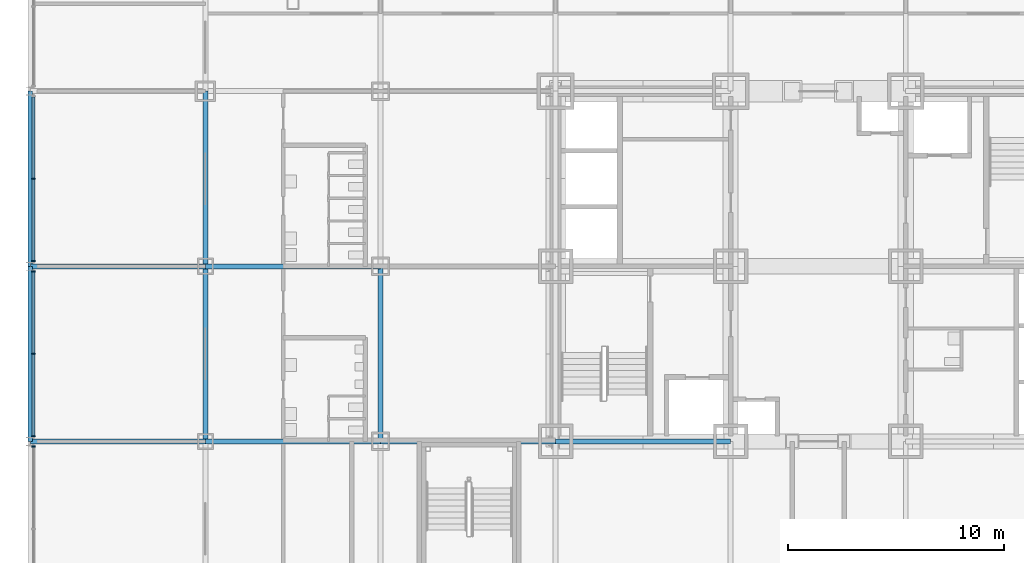
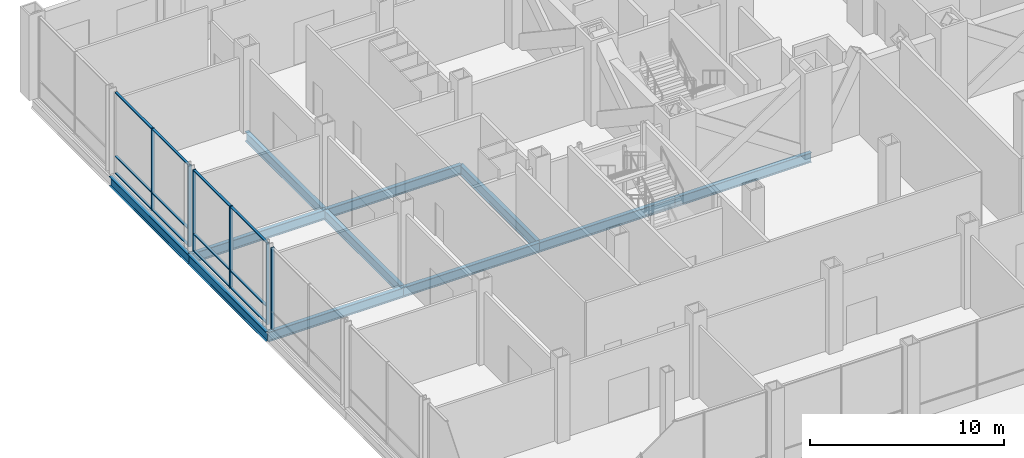
# One storey, part 13 of 29: 18 members, 11 beams, 3 elements without a shape of their own.
"""IFC4 building model written with IfcOpenShell, lengths in metres."""

from ifc_helpers import new_model, si_unit, direction, frame, origin, origin_2d, place, context, subcontext, project, spatial, rectangle, i_section, extrude, material, material_profile, profile_set, type_object, element, aggregate, save


model = new_model("IFC4")

# Units and contexts
model_context = context("Model", 3, precision=1e-05, world=origin(), true_north=direction((0.0, 1.0)))
body_context = subcontext(model_context, "Body", "Model", "MODEL_VIEW")
ifc_project = project(units=[si_unit("LENGTHUNIT", "METRE"), si_unit("AREAUNIT", "SQUARE_METRE"), si_unit("VOLUMEUNIT", "CUBIC_METRE"), si_unit("PLANEANGLEUNIT", "RADIAN"), si_unit("MASSUNIT", "GRAM", prefix="KILO")], contexts=[model_context])

# Site, building, storey
site_placement = place(None, origin())
site = spatial("IfcSite", under=ifc_project, at=site_placement, CompositionType="ELEMENT")
building_placement = place(site_placement, origin())
building = spatial("IfcBuilding", under=site, at=building_placement, Name="Kopane Lantern Tower", CompositionType="ELEMENT")
storey_placement = place(building_placement, frame((0.0, 0.0, 11.39990234375)))
storey = spatial("IfcBuildingStorey", under=building, at=storey_placement, Name="L02", CompositionType="ELEMENT", Elevation=11.39990234375)

# Beams
ifc_material_1 = material(Name="Steel S355JR", Category="steel")
ifc_material_profile_1 = material_profile(ifc_material_1, i_section(OverallWidth=0.22900390625, OverallDepth=0.6123046875, WebThickness=0.011962890625, FlangeThickness=0.01953125, FilletRadius=0.0126953125, at=origin_2d()), Name="UB 610x229x125")
ifc_profile_set_1 = profile_set([ifc_material_profile_1], Name="Steel S355JR")
beam_type = type_object("IfcBeamType", Name="GIRDER UB 610x229x125", PredefinedType="BEAM", material=ifc_profile_set_1)
beam_1_placement = place(storey_placement, frame((-8.10009765625, 24.300048828125, -0.555908203125), z_axis=(0.0, 1.0, 0.0), x_axis=(-1.0, 0.0, 0.0)))
element("IfcBeam", 1, at=beam_1_placement, inside=storey, type_object=beam_type, Name="Girder L02", PredefinedType="BEAM", context=body_context, shape_type="SweptSolid", body=[
    extrude(i_section(OverallWidth=0.22900390625, OverallDepth=0.6123046875, WebThickness=0.011962890625, FlangeThickness=0.01953125, FilletRadius=0.0126953125, at=origin_2d()), origin(), (0.0, 0.0, 1.0), 8.099853515625),
])
for number, where, z_axis, x_axis, name in (
    (2, (-8.10009765625, 24.300048828125, -0.555908203125), (1.0, 0.0, 0.0), (0.0, 1.0, 0.0), "Girder L02"),
    (3, (-8.10009765625, 32.39990234375, -0.555908203125), (0.0, 1.0, 0.0), (-1.0, 0.0, 0.0), "Girder L02"),
    (4, (-8.10009765625, 32.39990234375, -0.555908203125), (1.0, 0.0, 0.0), (0.0, 1.0, 0.0), "Girder L02"),
):
    element("IfcBeam", number, at=place(storey_placement, frame(where, z_axis=z_axis, x_axis=x_axis)), inside=storey, type_object=beam_type, Name=name, PredefinedType="BEAM", context=body_context, shape_type="SweptSolid", body=[
        extrude(i_section(OverallWidth=0.22900390625, OverallDepth=0.6123046875, WebThickness=0.011962890625, FlangeThickness=0.01953125, FilletRadius=0.0126953125, at=origin_2d()), origin(), (0.0, 0.0, 1.0), 8.10009765625),
    ])
beam_2_placement = place(storey_placement, frame((0.0, 24.300048828125, -0.555908203125), z_axis=(0.0, 1.0, 0.0), x_axis=(-1.0, 0.0, 0.0)))
element("IfcBeam", 5, at=beam_2_placement, inside=storey, type_object=beam_type, Name="Girder L02", PredefinedType="BEAM", context=body_context, shape_type="SweptSolid", body=[
    extrude(i_section(OverallWidth=0.22900390625, OverallDepth=0.6123046875, WebThickness=0.011962890625, FlangeThickness=0.01953125, FilletRadius=0.0126953125, at=origin_2d()), origin(), (0.0, 0.0, 1.0), 8.099853515625),
])
for number, where, z_axis, x_axis, name in (
    (6, (0.0, 24.300048828125, -0.555908203125), (1.0, 0.0, 0.0), (0.0, 1.0, 0.0), "Girder L02"),
    (7, (0.0, 32.39990234375, -0.555908203125), (0.0, 1.0, 0.0), (-1.0, 0.0, 0.0), "Girder L02"),
    (8, (0.0, 32.39990234375, -0.555908203125), (1.0, 0.0, 0.0), (0.0, 1.0, 0.0), "Girder L02"),
):
    element("IfcBeam", number, at=place(storey_placement, frame(where, z_axis=z_axis, x_axis=x_axis)), inside=storey, type_object=beam_type, Name=name, PredefinedType="BEAM", context=body_context, shape_type="SweptSolid", body=[
        extrude(i_section(OverallWidth=0.22900390625, OverallDepth=0.6123046875, WebThickness=0.011962890625, FlangeThickness=0.01953125, FilletRadius=0.0126953125, at=origin_2d()), origin(), (0.0, 0.0, 1.0), 8.10009765625),
    ])
for number, where, z_axis, x_axis, name in (
    (9, (8.10009765625, 24.300048828125, -0.555908203125), (0.0, 1.0, 0.0), (-1.0, 0.0, 0.0), "Girder L02"),
    (10, (8.10009765625, 24.300048828125, -0.555908203125), (1.0, 0.0, 0.0), (0.0, 1.0, 0.0), "Girder L02"),
):
    element("IfcBeam", number, at=place(storey_placement, frame(where, z_axis=z_axis, x_axis=x_axis)), inside=storey, type_object=beam_type, Name=name, PredefinedType="BEAM", context=body_context, shape_type="SweptSolid", body=[
        extrude(i_section(OverallWidth=0.22900390625, OverallDepth=0.6123046875, WebThickness=0.011962890625, FlangeThickness=0.01953125, FilletRadius=0.0126953125, at=origin_2d()), origin(), (0.0, 0.0, 1.0), 8.099853515625),
    ])
beam_3_placement = place(storey_placement, frame((16.199951171875, 24.300048828125, -0.555908203125), z_axis=(1.0, 0.0, 0.0), x_axis=(0.0, 1.0, 0.0)))
element("IfcBeam", 11, at=beam_3_placement, inside=storey, type_object=beam_type, Name="Girder L02", PredefinedType="BEAM", context=body_context, shape_type="SweptSolid", body=[
    extrude(i_section(OverallWidth=0.22900390625, OverallDepth=0.6123046875, WebThickness=0.011962890625, FlangeThickness=0.01953125, FilletRadius=0.0126953125, at=origin_2d()), origin(), (0.0, 0.0, 1.0), 8.10009765625),
])

# Curtain wall, members
ifc_material_2 = material(Name="Aluminium and clear glass", Category="aluminium")
curtain_wall_type = type_object("IfcCurtainWallType", Name="CURTAIN WALL CW2 PODIUM UPPER", PredefinedType="USERDEFINED", material=ifc_material_2)
curtain_wall_1_placement = place(storey_placement, origin())
curtain_wall_1 = element("IfcCurtainWall", 12, at=curtain_wall_1_placement, inside=storey, type_object=curtain_wall_type, Name="Curtain wall CW2 W L02", ObjectType="CURTAIN WALL", PredefinedType="USERDEFINED")
ifc_material_3 = material(Name="Aluminium", Category="aluminium")
ifc_material_profile_2 = material_profile(ifc_material_3, rectangle(XDim=0.06005859375, YDim=0.179931640625, at=origin_2d()), Name="AL 60x180")
ifc_profile_set_2 = profile_set([ifc_material_profile_2], Name="Aluminium")
member_type_1 = type_object("IfcMemberType", Name="MULLION CW2-M 60x180", PredefinedType="MULLION", material=ifc_profile_set_2)
member_1_placement = place(storey_placement, frame((-7.949951171875, 36.449951171875, 0.0), z_axis=(0.0, 0.0, 1.0), x_axis=(0.0, -1.0, 0.0)))
member_1 = element("IfcMember", 13, at=member_1_placement, type_object=member_type_1, Name="CW2 mullion 2", PredefinedType="MULLION", context=body_context, shape_type="SweptSolid", body=[
    extrude(rectangle(XDim=0.06005859375, YDim=0.179931640625, at=origin_2d()), origin(), (0.0, 0.0, 1.0), 5.150146484375),
])
member_2_placement = place(storey_placement, frame((-7.949951171875, 32.63818359375, 0.0), z_axis=(0.0, 0.0, 1.0), x_axis=(0.0, -1.0, 0.0)))
member_2 = element("IfcMember", 14, at=member_2_placement, type_object=member_type_1, Name="CW2 mullion 3", PredefinedType="MULLION", context=body_context, shape_type="SweptSolid", body=[
    extrude(rectangle(XDim=0.06005859375, YDim=0.179931640625, at=origin_2d()), origin(), (0.0, 0.0, 1.0), 5.150146484375),
])

curtain_wall_2_placement = place(storey_placement, origin())
curtain_wall_2 = element("IfcCurtainWall", 15, at=curtain_wall_2_placement, inside=storey, type_object=curtain_wall_type, Name="Curtain wall CW2 W L02", ObjectType="CURTAIN WALL", PredefinedType="USERDEFINED")
member_3_placement = place(storey_placement, frame((-7.949951171875, 32.161865234375, 0.0), z_axis=(0.0, 0.0, 1.0), x_axis=(0.0, -1.0, 0.0)))
member_3 = element("IfcMember", 16, at=member_3_placement, type_object=member_type_1, Name="CW2 mullion 1", PredefinedType="MULLION", context=body_context, shape_type="SweptSolid", body=[
    extrude(rectangle(XDim=0.06005859375, YDim=0.179931640625, at=origin_2d()), origin(), (0.0, 0.0, 1.0), 5.150146484375),
])
member_4_placement = place(storey_placement, frame((-7.949951171875, 28.35009765625, 0.0), z_axis=(0.0, 0.0, 1.0), x_axis=(0.0, -1.0, 0.0)))
member_4 = element("IfcMember", 17, at=member_4_placement, type_object=member_type_1, Name="CW2 mullion 2", PredefinedType="MULLION", context=body_context, shape_type="SweptSolid", body=[
    extrude(rectangle(XDim=0.06005859375, YDim=0.179931640625, at=origin_2d()), origin(), (0.0, 0.0, 1.0), 5.150146484375),
])
member_5_placement = place(storey_placement, frame((-7.949951171875, 24.5380859375, 0.0), z_axis=(0.0, 0.0, 1.0), x_axis=(0.0, -1.0, 0.0)))
member_5 = element("IfcMember", 18, at=member_5_placement, type_object=member_type_1, Name="CW2 mullion 3", PredefinedType="MULLION", context=body_context, shape_type="SweptSolid", body=[
    extrude(rectangle(XDim=0.06005859375, YDim=0.179931640625, at=origin_2d()), origin(), (0.0, 0.0, 1.0), 5.150146484375),
])

# Curtain wall, member
curtain_wall_3_placement = place(storey_placement, origin())
curtain_wall_3 = element("IfcCurtainWall", 19, at=curtain_wall_3_placement, inside=storey, type_object=curtain_wall_type, Name="Curtain wall CW2 W L02", ObjectType="CURTAIN WALL", PredefinedType="USERDEFINED")
member_6_placement = place(storey_placement, frame((-7.949951171875, 24.061767578125, 0.0), z_axis=(0.0, 0.0, 1.0), x_axis=(0.0, -1.0, 0.0)))
member_6 = element("IfcMember", 20, at=member_6_placement, type_object=member_type_1, Name="CW2 mullion 1", PredefinedType="MULLION", context=body_context, shape_type="SweptSolid", body=[
    extrude(rectangle(XDim=0.06005859375, YDim=0.179931640625, at=origin_2d()), origin(), (0.0, 0.0, 1.0), 5.150146484375),
])
aggregate(curtain_wall_3, [member_6])

# Member
ifc_material_4 = material(Name="Aluminium", Category="aluminium")
ifc_material_profile_3 = material_profile(ifc_material_4, rectangle(XDim=0.139892578125, YDim=0.06005859375, at=origin_2d()), Name="AL 140x60")
ifc_profile_set_3 = profile_set([ifc_material_profile_3], Name="Aluminium")
member_type_2 = type_object("IfcMemberType", Name="TRANSOM CW2-T 60x140", PredefinedType="USERDEFINED", material=ifc_profile_set_3)
member_7_placement = place(storey_placement, frame((-7.949951171875, 40.231689453125, 0.030029296875), z_axis=(0.0, -1.0, 0.0), x_axis=(1.0, 0.0, 0.0)))
member_7 = element("IfcMember", 21, at=member_7_placement, type_object=member_type_2, Name="CW2 transom 1.1", ObjectType="TRANSOM", PredefinedType="USERDEFINED", context=body_context, shape_type="SweptSolid", body=[
    extrude(rectangle(XDim=0.139892578125, YDim=0.06005859375, at=origin_2d()), origin(), (0.0, 0.0, 1.0), 3.751708984375),
])

member_8_placement = place(storey_placement, frame((-7.949951171875, 40.231689453125, 1.10009765625), z_axis=(0.0, -1.0, 0.0), x_axis=(1.0, 0.0, 0.0)))
member_8 = element("IfcMember", 22, at=member_8_placement, type_object=member_type_2, Name="CW2 transom 1.2", ObjectType="TRANSOM", PredefinedType="USERDEFINED", context=body_context, shape_type="SweptSolid", body=[
    extrude(rectangle(XDim=0.139892578125, YDim=0.06005859375, at=origin_2d()), origin(), (0.0, 0.0, 1.0), 3.751708984375),
])

member_9_placement = place(storey_placement, frame((-7.949951171875, 40.231689453125, 5.1201171875), z_axis=(0.0, -1.0, 0.0), x_axis=(1.0, 0.0, 0.0)))
member_9 = element("IfcMember", 23, at=member_9_placement, type_object=member_type_2, Name="CW2 transom 1.3", ObjectType="TRANSOM", PredefinedType="USERDEFINED", context=body_context, shape_type="SweptSolid", body=[
    extrude(rectangle(XDim=0.139892578125, YDim=0.06005859375, at=origin_2d()), origin(), (0.0, 0.0, 1.0), 3.751708984375),
])

member_10_placement = place(storey_placement, frame((-7.949951171875, 36.419921875, 0.030029296875), z_axis=(0.0, -1.0, 0.0), x_axis=(1.0, 0.0, 0.0)))
member_10 = element("IfcMember", 24, at=member_10_placement, type_object=member_type_2, Name="CW2 transom 2.1", ObjectType="TRANSOM", PredefinedType="USERDEFINED", context=body_context, shape_type="SweptSolid", body=[
    extrude(rectangle(XDim=0.139892578125, YDim=0.06005859375, at=origin_2d()), origin(), (0.0, 0.0, 1.0), 3.751708984375),
])

member_11_placement = place(storey_placement, frame((-7.949951171875, 36.419921875, 1.10009765625), z_axis=(0.0, -1.0, 0.0), x_axis=(1.0, 0.0, 0.0)))
member_11 = element("IfcMember", 25, at=member_11_placement, type_object=member_type_2, Name="CW2 transom 2.2", ObjectType="TRANSOM", PredefinedType="USERDEFINED", context=body_context, shape_type="SweptSolid", body=[
    extrude(rectangle(XDim=0.139892578125, YDim=0.06005859375, at=origin_2d()), origin(), (0.0, 0.0, 1.0), 3.751708984375),
])

member_12_placement = place(storey_placement, frame((-7.949951171875, 36.419921875, 5.1201171875), z_axis=(0.0, -1.0, 0.0), x_axis=(1.0, 0.0, 0.0)))
member_12 = element("IfcMember", 26, at=member_12_placement, type_object=member_type_2, Name="CW2 transom 2.3", ObjectType="TRANSOM", PredefinedType="USERDEFINED", context=body_context, shape_type="SweptSolid", body=[
    extrude(rectangle(XDim=0.139892578125, YDim=0.06005859375, at=origin_2d()), origin(), (0.0, 0.0, 1.0), 3.751708984375),
])

aggregate(curtain_wall_1, [member_1, member_2, member_7, member_8, member_9, member_10, member_11, member_12])

member_13_placement = place(storey_placement, frame((-7.949951171875, 32.1318359375, 0.030029296875), z_axis=(0.0, -1.0, 0.0), x_axis=(1.0, 0.0, 0.0)))
member_13 = element("IfcMember", 27, at=member_13_placement, type_object=member_type_2, Name="CW2 transom 1.1", ObjectType="TRANSOM", PredefinedType="USERDEFINED", context=body_context, shape_type="SweptSolid", body=[
    extrude(rectangle(XDim=0.139892578125, YDim=0.06005859375, at=origin_2d()), origin(), (0.0, 0.0, 1.0), 3.751953125),
])

member_14_placement = place(storey_placement, frame((-7.949951171875, 32.1318359375, 1.10009765625), z_axis=(0.0, -1.0, 0.0), x_axis=(1.0, 0.0, 0.0)))
member_14 = element("IfcMember", 28, at=member_14_placement, type_object=member_type_2, Name="CW2 transom 1.2", ObjectType="TRANSOM", PredefinedType="USERDEFINED", context=body_context, shape_type="SweptSolid", body=[
    extrude(rectangle(XDim=0.139892578125, YDim=0.06005859375, at=origin_2d()), origin(), (0.0, 0.0, 1.0), 3.751953125),
])

member_15_placement = place(storey_placement, frame((-7.949951171875, 32.1318359375, 5.1201171875), z_axis=(0.0, -1.0, 0.0), x_axis=(1.0, 0.0, 0.0)))
member_15 = element("IfcMember", 29, at=member_15_placement, type_object=member_type_2, Name="CW2 transom 1.3", ObjectType="TRANSOM", PredefinedType="USERDEFINED", context=body_context, shape_type="SweptSolid", body=[
    extrude(rectangle(XDim=0.139892578125, YDim=0.06005859375, at=origin_2d()), origin(), (0.0, 0.0, 1.0), 3.751953125),
])

member_16_placement = place(storey_placement, frame((-7.949951171875, 28.320068359375, 0.030029296875), z_axis=(0.0, -1.0, 0.0), x_axis=(1.0, 0.0, 0.0)))
member_16 = element("IfcMember", 30, at=member_16_placement, type_object=member_type_2, Name="CW2 transom 2.1", ObjectType="TRANSOM", PredefinedType="USERDEFINED", context=body_context, shape_type="SweptSolid", body=[
    extrude(rectangle(XDim=0.139892578125, YDim=0.06005859375, at=origin_2d()), origin(), (0.0, 0.0, 1.0), 3.751953125),
])

member_17_placement = place(storey_placement, frame((-7.949951171875, 28.320068359375, 1.10009765625), z_axis=(0.0, -1.0, 0.0), x_axis=(1.0, 0.0, 0.0)))
member_17 = element("IfcMember", 31, at=member_17_placement, type_object=member_type_2, Name="CW2 transom 2.2", ObjectType="TRANSOM", PredefinedType="USERDEFINED", context=body_context, shape_type="SweptSolid", body=[
    extrude(rectangle(XDim=0.139892578125, YDim=0.06005859375, at=origin_2d()), origin(), (0.0, 0.0, 1.0), 3.751953125),
])

member_18_placement = place(storey_placement, frame((-7.949951171875, 28.320068359375, 5.1201171875), z_axis=(0.0, -1.0, 0.0), x_axis=(1.0, 0.0, 0.0)))
member_18 = element("IfcMember", 32, at=member_18_placement, type_object=member_type_2, Name="CW2 transom 2.3", ObjectType="TRANSOM", PredefinedType="USERDEFINED", context=body_context, shape_type="SweptSolid", body=[
    extrude(rectangle(XDim=0.139892578125, YDim=0.06005859375, at=origin_2d()), origin(), (0.0, 0.0, 1.0), 3.751953125),
])

aggregate(curtain_wall_2, [member_3, member_4, member_5, member_13, member_14, member_15, member_16, member_17, member_18])

save(model, "model.ifc")
